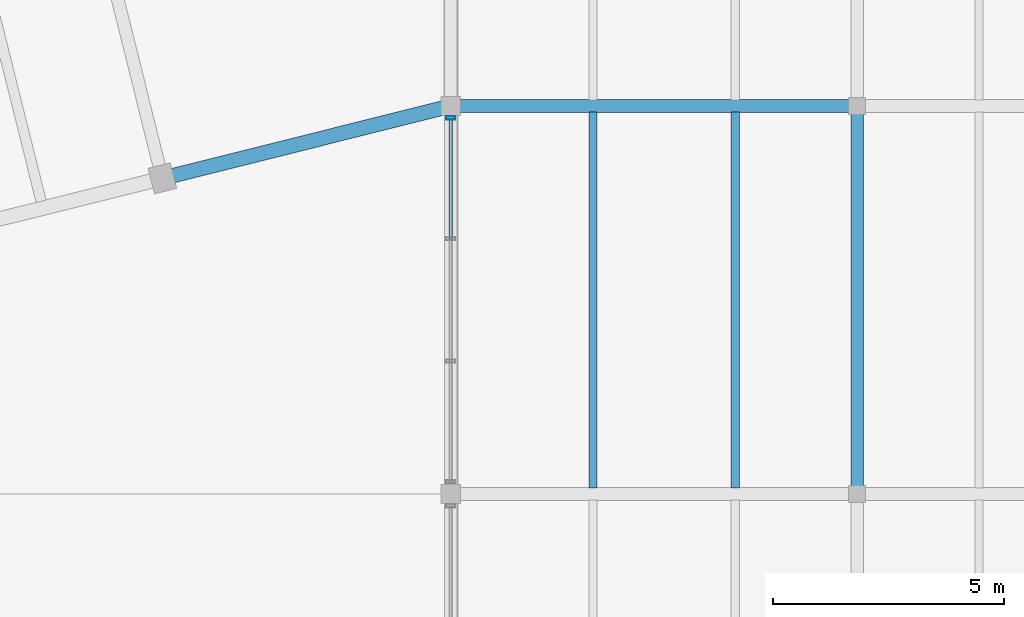
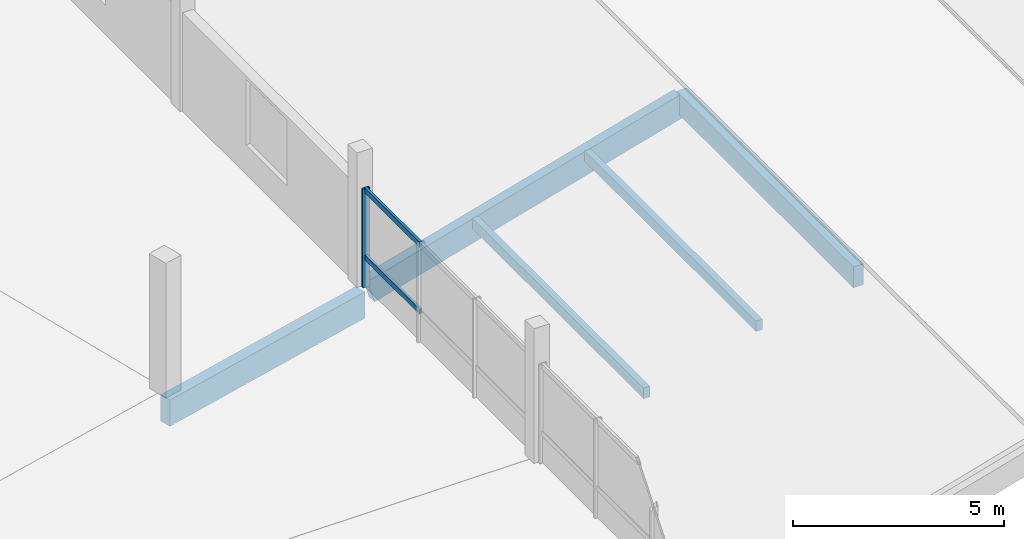
# One storey, part 26 of 47: 5 members, 3 beams, 1 element without a shape of its own.
"""IFC4 building model written with IfcOpenShell, lengths in metres."""

import ifcopenshell
import ifcopenshell.guid

model = None  # the IFC model being written
_history = None  # IfcOwnerHistory: only IFC2X3 demands one
_inside = {}  # id of a spatial element -> (the spatial element, [elements in it])
_under = {}  # id of a project, library or spatial element -> (it, [spatial elements below it])
_declared = {}  # id of a project -> (the project, [libraries it declares])
_typed = {}  # id of a type object -> (the type object, [elements of that type])
_made_of = {}  # id of a material, layer set ... -> (it, [elements and type objects made of it])


def new_model(schema):
    """Start an empty IFC model of exactly this schema.

    Asked for "IFC4X3", IfcOpenShell would pick the latest addendum, in which some entities
    have other attributes; the version numbers below select the first issue.
    IFC2X3 requires an IfcOwnerHistory on every rooted entity: one is made here for all.
    """
    global model, _history
    if schema == "IFC4X3":
        model = ifcopenshell.file(schema_version=(4, 3, 0, 0))
    else:
        model = ifcopenshell.file(schema=schema)
    _inside.clear()
    _under.clear()
    _declared.clear()
    _typed.clear()
    _made_of.clear()
    _history = None
    if model.schema == "IFC2X3":
        org = make("IfcOrganization", Name="unknown")
        user = make(
            "IfcPersonAndOrganization",
            ThePerson=make("IfcPerson", FamilyName="unknown"),
            TheOrganization=org,
        )
        app = make(
            "IfcApplication",
            ApplicationDeveloper=org,
            Version="unknown",
            ApplicationFullName="unknown",
            ApplicationIdentifier="unknown",
        )
        _history = make(
            "IfcOwnerHistory",
            OwningUser=user,
            OwningApplication=app,
            ChangeAction="ADDED",
            CreationDate=0,
        )
    return model


def make(cls, **values):
    """One entity of the class cls with the attributes given. An attribute that is None is left unset."""
    return model.create_entity(
        cls, **{name: value for name, value in values.items() if value is not None}
    )


def rooted(cls, **values):
    """An entity with a GlobalId (a new one), such as an element, a storey or a relation."""
    return make(cls, GlobalId=ifcopenshell.guid.new(), OwnerHistory=_history, **values)


def si_unit(unit_type, name, prefix=None):
    """IfcSIUnit, for example si_unit("LENGTHUNIT", "METRE", prefix="MILLI")."""
    return make("IfcSIUnit", UnitType=unit_type, Prefix=prefix, Name=name)


def assignment(units):
    """IfcUnitAssignment: the units of a project."""
    return None if units is None else make("IfcUnitAssignment", Units=units)


def point(xyz):
    """IfcCartesianPoint."""
    return None if xyz is None else make("IfcCartesianPoint", Coordinates=xyz)


def direction(xyz):
    """IfcDirection."""
    return None if xyz is None else make("IfcDirection", DirectionRatios=xyz)


def frame(location, z_axis=None, x_axis=None):
    """IfcAxis2Placement3D, a coordinate frame: its origin and axes. An axis left out is left unset."""
    return make(
        "IfcAxis2Placement3D",
        Location=point(location),
        Axis=direction(z_axis),
        RefDirection=direction(x_axis),
    )


def frame_2d(location, x_axis=None):
    """IfcAxis2Placement2D, a coordinate frame in the plane: its origin and x axis."""
    return make(
        "IfcAxis2Placement2D", Location=point(location), RefDirection=direction(x_axis)
    )


def origin():
    """The frame at (0, 0, 0) with its axes left unset."""
    return frame((0.0, 0.0, 0.0))


def origin_2d():
    """The frame at (0, 0) in the plane with its x axis left unset."""
    return frame_2d((0.0, 0.0))


def place(relative_to, where):
    """IfcLocalPlacement: puts the frame where relative to a parent placement (None: the world)."""
    return make(
        "IfcLocalPlacement", PlacementRelTo=relative_to, RelativePlacement=where
    )


def context(
    kind, dimensions, precision=None, world=None, true_north=None, identifier=None
):
    """IfcGeometricRepresentationContext, for example the 3D "Model" context."""
    return make(
        "IfcGeometricRepresentationContext",
        ContextIdentifier=identifier,
        ContextType=kind,
        CoordinateSpaceDimension=dimensions,
        Precision=precision,
        WorldCoordinateSystem=world,
        TrueNorth=true_north,
    )


def subcontext(parent, identifier, kind, view, scale=None):
    """IfcGeometricRepresentationSubContext, for example "Body" below "Model"."""
    return make(
        "IfcGeometricRepresentationSubContext",
        ContextIdentifier=identifier,
        ContextType=kind,
        ParentContext=parent,
        TargetScale=scale,
        TargetView=view,
    )


def project(units=None, contexts=None):
    """IfcProject with its units and contexts."""
    return rooted(
        "IfcProject",
        Name="project",
        RepresentationContexts=contexts,
        UnitsInContext=assignment(units),
    )


def spatial(cls, under=None, at=None, **own):
    """A site, building, storey or space (cls), placed at a placement, below another one or the project."""
    s = rooted(cls, ObjectPlacement=at, **own)
    if under is not None:
        _under.setdefault(under.id(), (under, []))[1].append(s)
    return s


def profile(cls, at=None, kind="AREA", **sizes):
    """A parametric profile (cls). Its sizes go by their IFC names, for example OverallWidth=200.0."""
    return make(cls, ProfileType=kind, Position=at, **sizes)


def rectangle(**sizes):
    """IfcRectangleProfileDef."""
    return profile("IfcRectangleProfileDef", **sizes)


def hollow_rectangle(**sizes):
    """IfcRectangleHollowProfileDef."""
    return profile("IfcRectangleHollowProfileDef", **sizes)


def extrude(swept, where, along, depth):
    """IfcExtrudedAreaSolid: the profile swept, set in the frame where, extruded along a direction by depth."""
    return make(
        "IfcExtrudedAreaSolid",
        SweptArea=swept,
        Position=where,
        ExtrudedDirection=direction(along),
        Depth=depth,
    )


def shape(context_of_items, identifier, shape_type, items):
    """IfcShapeRepresentation: the items that make up one representation, for example the "Body"."""
    return make(
        "IfcShapeRepresentation",
        ContextOfItems=context_of_items,
        RepresentationIdentifier=identifier,
        RepresentationType=shape_type,
        Items=items,
    )


def material(Name=None, Category=None):
    """IfcMaterial."""
    return make("IfcMaterial", Name=Name, Category=Category)


def layer(
    of_material, thickness, ventilated=None, Name=None, Category=None, Priority=None
):
    """IfcMaterialLayer: one layer of a wall or slab, of a material (None: an air gap)."""
    return make(
        "IfcMaterialLayer",
        Material=of_material,
        LayerThickness=thickness,
        IsVentilated=ventilated,
        Name=Name,
        Category=Category,
        Priority=Priority,
    )


def layer_set(layers, Name=None):
    """IfcMaterialLayerSet."""
    return make("IfcMaterialLayerSet", MaterialLayers=layers, LayerSetName=Name)


def material_profile(
    of_material, cross_section, Name=None, Category=None, Priority=None
):
    """IfcMaterialProfile: a cross section and its material."""
    return make(
        "IfcMaterialProfile",
        Name=Name,
        Material=of_material,
        Profile=cross_section,
        Priority=Priority,
        Category=Category,
    )


def profile_set(profiles, Name=None, composite=None):
    """IfcMaterialProfileSet."""
    return make(
        "IfcMaterialProfileSet",
        Name=Name,
        MaterialProfiles=profiles,
        CompositeProfile=composite,
    )


def made_of(thing, what):
    """Note that an element or type object is made of a material, layer set ...; save() writes the relation."""
    if what is not None:
        _made_of.setdefault(what.id(), (what, []))[1].append(thing)
    return thing


def type_object(cls, material=None, **own):
    """A type object (cls), such as IfcWallType, which elements share."""
    return made_of(rooted(cls, **own), material)


def element(
    cls,
    number,
    at=None,
    inside=None,
    cuts=None,
    type_object=None,
    material=None,
    context=None,
    identifier="Body",
    shape_type=None,
    held_by="IfcProductDefinitionShape",
    body=None,
    shapes=None,
    **own,
):
    """One element of the class cls, such as IfcWall. Its Tag is "e" and its number.

    at: its placement. inside: the storey or other place that contains it. cuts: it is an
    opening in that element (IfcRelVoidsElement). A single representation is given by context,
    identifier, shape_type and body (its items); several are given by shapes. held_by: the class
    of the entity that holds the representations. save() writes the other relations.
    """
    e = rooted(cls, Tag="e%d" % number, ObjectPlacement=at, **own)
    if body is not None:
        shapes = [shape(context, identifier, shape_type, body)]
    if shapes is not None:
        e.Representation = make(held_by, Representations=shapes)
    if inside is not None:
        _inside.setdefault(inside.id(), (inside, []))[1].append(e)
    if cuts is not None:
        rooted(
            "IfcRelVoidsElement", RelatingBuildingElement=cuts, RelatedOpeningElement=e
        )
    if type_object is not None:
        _typed.setdefault(type_object.id(), (type_object, []))[1].append(e)
    return made_of(e, material)


def aggregate(whole, parts):
    """IfcRelAggregates: a whole, such as a stair, and the parts it consists of."""
    return rooted("IfcRelAggregates", RelatingObject=whole, RelatedObjects=parts)


def save(model, path):
    """Write the relations noted so far, then the file.

    IfcRelAggregates (storeys below a building ...), IfcRelContainedInSpatialStructure (elements
    in a storey), IfcRelDefinesByType, IfcRelAssociatesMaterial and IfcRelDeclares: one each for
    every whole, place, type object, material and project.
    """
    for whole, parts in _under.values():
        aggregate(whole, parts)
    for where, things in _inside.values():
        rooted(
            "IfcRelContainedInSpatialStructure",
            RelatedElements=things,
            RelatingStructure=where,
        )
    for kind, things in _typed.values():
        rooted("IfcRelDefinesByType", RelatedObjects=things, RelatingType=kind)
    for what, things in _made_of.values():
        rooted("IfcRelAssociatesMaterial", RelatedObjects=things, RelatingMaterial=what)
    for by, libraries in _declared.values():
        rooted("IfcRelDeclares", RelatingContext=by, RelatedDefinitions=libraries)
    model.write(path)


model = new_model("IFC4")

# Units and contexts
model_context = context("Model", 3, precision=1e-05, world=origin(), true_north=direction((0.0, 1.0)))
body_context = subcontext(model_context, "Body", "Model", "MODEL_VIEW")
ifc_project = project(units=[si_unit("LENGTHUNIT", "METRE"), si_unit("AREAUNIT", "SQUARE_METRE"), si_unit("VOLUMEUNIT", "CUBIC_METRE"), si_unit("PLANEANGLEUNIT", "RADIAN"), si_unit("MASSUNIT", "GRAM", prefix="KILO")], contexts=[model_context])

# Site, building, storey
site_placement = place(None, origin())
site = spatial("IfcSite", under=ifc_project, at=site_placement, CompositionType="ELEMENT")
building_placement = place(site_placement, origin())
building = spatial("IfcBuilding", under=site, at=building_placement, Name="Meriwether Solvik Hall", CompositionType="ELEMENT")
storey_placement = place(building_placement, frame((0.0, 0.0, 18.300048828125)))
storey = spatial("IfcBuildingStorey", under=building, at=storey_placement, Name="L04", CompositionType="ELEMENT", Elevation=18.300048828125)

# Beams
ifc_material_1 = material(Name="Glulam Douglas-Fir 24F-V8 GL28h", Category="wood")
ifc_material_profile_1 = material_profile(ifc_material_1, rectangle(XDim=0.27294921875, YDim=0.610107421875, at=origin_2d()), Name="GLB-273X610")
ifc_profile_set_1 = profile_set([ifc_material_profile_1], Name="Glulam Douglas-Fir 24F-V8 GL28h")
beam_type_1 = type_object("IfcBeamType", Name="BM-GL-273X610", PredefinedType="SPANDREL", material=ifc_profile_set_1)
beam_1_placement = place(storey_placement, frame((123.0, 58.39990234375, 2.15576171875), z_axis=(0.0, 1.0, 0.0), x_axis=(-1.0, 0.0, 0.0)))
element("IfcBeam", 1, at=beam_1_placement, inside=storey, type_object=beam_type_1, Name="Roof Tie Beam 14:G-H (L04)", PredefinedType="SPANDREL", context=body_context, shape_type="SweptSolid", body=[
    extrude(rectangle(XDim=0.27294921875, YDim=0.610107421875, at=origin_2d()), origin(), (0.0, 0.0, 1.0), 8.400146484375),
])
ifc_material_2 = material(Name="Glulam Douglas-Fir 24F-V8 GL28h", Category="wood")
ifc_material_profile_2 = material_profile(ifc_material_2, rectangle(XDim=0.27294921875, YDim=0.68505859375, at=origin_2d()), Name="GLB-273X685")
ifc_profile_set_2 = profile_set([ifc_material_profile_2], Name="Glulam Douglas-Fir 24F-V8 GL28h")
beam_type_2 = type_object("IfcBeamType", Name="BM-GL-273X685", PredefinedType="BEAM", material=ifc_profile_set_2)
beam_2_placement = place(storey_placement, frame((114.4208984375, 66.800048828125, -0.31298828125), z_axis=(0.962504746474, 0.0, 0.271264839252), x_axis=(0.0, 1.0, 0.0)))
element("IfcBeam", 2, at=beam_2_placement, inside=storey, type_object=beam_type_2, Name="Raking Glulam Roof Rafter w3_fold_1w-H (L04)", PredefinedType="BEAM", context=body_context, shape_type="SweptSolid", body=[
    extrude(rectangle(XDim=0.27294921875, YDim=0.68505859375, at=origin_2d()), origin(), (0.0, 0.0, 1.0), 8.876708984375),
])
ifc_material_3 = material(Name="Glulam Douglas-Fir 24F-V8 GL28h", Category="wood")
ifc_material_profile_3 = material_profile(ifc_material_3, rectangle(XDim=0.31494140625, YDim=0.760009765625, at=origin_2d()), Name="GLB-315X760")
ifc_profile_set_3 = profile_set([ifc_material_profile_3], Name="Glulam Douglas-Fir 24F-V8 GL28h")
beam_type_3 = type_object("IfcBeamType", Name="BM-GL-315X760", PredefinedType="BEAM", material=ifc_profile_set_3)
beam_3_placement = place(storey_placement, frame((107.95458984375, 65.234619140625, -0.625), z_axis=(0.969992872522, 0.243133352825, 0.0), x_axis=(-0.243133352825, 0.969992872522, 0.0)))
element("IfcBeam", 3, at=beam_3_placement, inside=storey, type_object=beam_type_3, Name="Diaphragm Collector Girder T7/TC-13/H (L04)", PredefinedType="BEAM", context=body_context, shape_type="SweptSolid", body=[
    extrude(rectangle(XDim=0.31494140625, YDim=0.760009765625, at=origin_2d()), origin(), (0.0, 0.0, 1.0), 6.4384765625),
])

# Curtain wall, members
ifc_material_4 = material(Name="Thermally Broken Anodised Aluminium 6063-T6 and Low-E Glass", Category="aluminium")
ifc_layer = layer(ifc_material_4, 0.179931640625)
ifc_layer_set = layer_set([ifc_layer], Name="Thermally Broken Anodised Aluminium 6063-T6 and Low-E Glass")
curtain_wall_type = type_object("IfcCurtainWallType", Name="CW-UNIT-E", PredefinedType="USERDEFINED", material=ifc_layer_set)
curtain_wall_placement = place(storey_placement, origin())
curtain_wall = element("IfcCurtainWall", 4, at=curtain_wall_placement, inside=storey, type_object=curtain_wall_type, Name="Curtain Wall wing_Y13_7_28 (L04)", ObjectType="UNITISED CURTAIN WALL", PredefinedType="USERDEFINED")
ifc_material_5 = material(Name="Anodised Aluminium 6063-T6", Category="aluminium")
ifc_material_profile_4 = material_profile(ifc_material_5, hollow_rectangle(XDim=0.070068359375, YDim=0.199951171875, WallThickness=0.0048828125, at=origin_2d()), Name="CWM-70X200")
ifc_profile_set_4 = profile_set([ifc_material_profile_4], Name="Anodised Aluminium 6063-T6")
member_type_1 = type_object("IfcMemberType", Name="CW-MUL-70X200", PredefinedType="MULLION", material=ifc_profile_set_4)
member_1_placement = place(storey_placement, frame((114.199951171875, 66.5400390625, 0.0), z_axis=(0.0, 0.0, 1.0), x_axis=(0.0, -1.0, 0.0)))
member_1 = element("IfcMember", 5, at=member_1_placement, type_object=member_type_1, Name="Curtain Wall Mullion 1", PredefinedType="MULLION", context=body_context, shape_type="SweptSolid", body=[
    extrude(hollow_rectangle(XDim=0.070068359375, YDim=0.199951171875, WallThickness=0.0048828125, at=origin_2d()), origin(), (0.0, 0.0, 1.0), 2.85498046875),
])
ifc_material_6 = material(Name="Anodised Aluminium 6063-T6", Category="aluminium")
ifc_material_profile_5 = material_profile(ifc_material_6, hollow_rectangle(XDim=0.070068359375, YDim=0.14990234375, WallThickness=0.0048828125, at=origin_2d()), Name="CWT-70X150")
ifc_profile_set_5 = profile_set([ifc_material_profile_5], Name="Anodised Aluminium 6063-T6")
member_type_2 = type_object("IfcMemberType", Name="CW-TRN-70X150", PredefinedType="USERDEFINED", material=ifc_profile_set_5)
member_2_placement = place(storey_placement, frame((114.199951171875, 66.5400390625, 0.8564453125), z_axis=(0.0, -1.0, 0.0), x_axis=(1.0, 0.0, 0.0)))
member_2 = element("IfcMember", 6, at=member_2_placement, type_object=member_type_2, Name="Curtain Wall Transom 1-sill", ObjectType="TRANSOM", PredefinedType="USERDEFINED", context=body_context, shape_type="SweptSolid", body=[
    extrude(hollow_rectangle(XDim=0.070068359375, YDim=0.14990234375, WallThickness=0.0048828125, at=origin_2d()), origin(), (0.0, 0.0, 1.0), 2.614013671875),
])
member_3_placement = place(storey_placement, frame((114.199951171875, 66.5400390625, 2.794921875), z_axis=(0.0, -1.0, 0.0), x_axis=(1.0, 0.0, 0.0)))
member_3 = element("IfcMember", 7, at=member_3_placement, type_object=member_type_2, Name="Curtain Wall Transom 1-head", ObjectType="TRANSOM", PredefinedType="USERDEFINED", context=body_context, shape_type="SweptSolid", body=[
    extrude(hollow_rectangle(XDim=0.070068359375, YDim=0.14990234375, WallThickness=0.0048828125, at=origin_2d()), origin(), (0.0, 0.0, 1.0), 2.614013671875),
])
aggregate(curtain_wall, [member_1, member_2, member_3])

# Members
ifc_material_7 = material(Name="Glulam Douglas-Fir 24F-V8 GL28h", Category="wood")
ifc_material_profile_6 = material_profile(ifc_material_7, rectangle(XDim=0.175048828125, YDim=0.304931640625, at=origin_2d()), Name="GLM-175X305")
ifc_profile_set_6 = profile_set([ifc_material_profile_6], Name="Glulam Douglas-Fir 24F-V8 GL28h")
member_type_3 = type_object("IfcMemberType", Name="MEM-PRL-GL175", PredefinedType="PURLIN", material=ifc_profile_set_6)
for number, where, z_axis, x_axis, name in (
    (8, (117.280029296875, 58.532470703125, 0.6962890625), (0.0, 1.0, 0.0), (-1.0, 0.0, 0.0), "Sloped Roof Glulam Purlin w3_fold_1w-2.1"),
    (9, (120.360107421875, 58.532470703125, 1.564208984375), (0.0, 1.0, 0.0), (-1.0, 0.0, 0.0), "Sloped Roof Glulam Purlin w3_fold_1w-2.2"),
):
    element("IfcMember", number, at=place(storey_placement, frame(where, z_axis=z_axis, x_axis=x_axis)), inside=storey, type_object=member_type_3, Name=name, PredefinedType="PURLIN", context=body_context, shape_type="SweptSolid", body=[
        extrude(rectangle(XDim=0.175048828125, YDim=0.304931640625, at=origin_2d()), origin(), (0.0, 0.0, 1.0), 8.135009765625),
    ])

save(model, "model.ifc")
